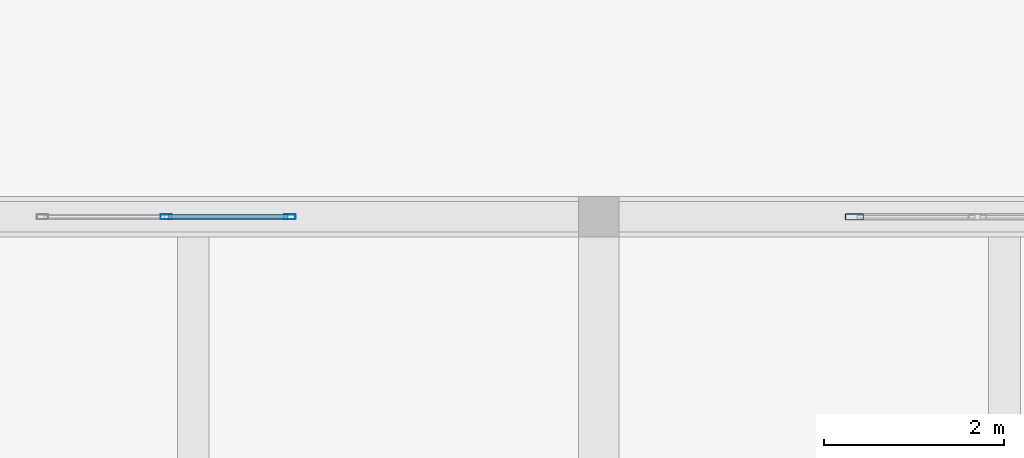
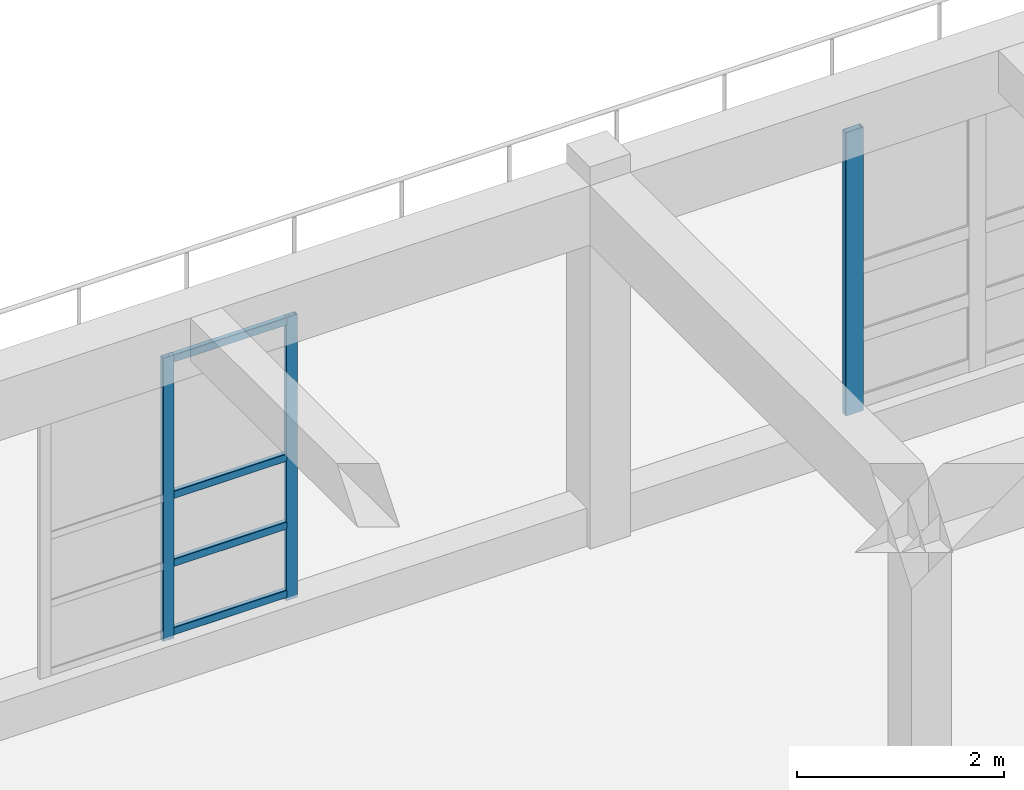
# One storey, part 9 of 15: 7 members, 2 elements without a shape of their own.
"""IFC4 building model written with IfcOpenShell, lengths in metres."""

from ifc_helpers import new_model, si_unit, derived_unit, direction, frame, origin, origin_2d, place, context, subcontext, project, spatial, hollow_rectangle, extrude, material, layer, layer_set, material_profile, profile_set, type_object, element, aggregate, save


model = new_model("IFC4")

# Units and contexts
model_context = context("Model", 3, precision=1e-05, world=origin(), true_north=direction((0.0, 1.0)))
body_context = subcontext(model_context, "Body", "Model", "MODEL_VIEW")
ifc_project = project(units=[si_unit("LENGTHUNIT", "METRE"), si_unit("AREAUNIT", "SQUARE_METRE"), si_unit("VOLUMEUNIT", "CUBIC_METRE"), si_unit("PLANEANGLEUNIT", "RADIAN"), si_unit("MASSUNIT", "GRAM", prefix="KILO"), derived_unit("THERMALTRANSMITTANCEUNIT", [(si_unit("POWERUNIT", "WATT"), 1), (si_unit("LENGTHUNIT", "METRE"), -2), (si_unit("THERMODYNAMICTEMPERATUREUNIT", "KELVIN"), -1)])], contexts=[model_context])

# Site, building, storey
site_placement = place(None, origin())
site = spatial("IfcSite", under=ifc_project, at=site_placement, CompositionType="ELEMENT")
building_placement = place(site_placement, origin())
building = spatial("IfcBuilding", under=site, at=building_placement, Name="Almenara Railside Exhibition Hall", CompositionType="ELEMENT")
storey_placement = place(building_placement, frame((0.0, 0.0, 16.199951171875)))
storey = spatial("IfcBuildingStorey", under=building, at=storey_placement, Name="L03", CompositionType="ELEMENT", Elevation=16.199951171875)

# Curtain wall, members
ifc_material_1 = material(Name="Bronze-anodised aluminium and low-E double glazing", Category="aluminium")
ifc_layer = layer(ifc_material_1, 0.179931640625, Name="Bronze-anodised aluminium and low-E double glazing")
ifc_layer_set = layer_set([ifc_layer], Name="Bronze-anodised aluminium and low-E double glazing")
curtain_wall_type = type_object("IfcCurtainWallType", Name="Belvedere North Loggia Curtain Wall 2800x3300", PredefinedType="NOTDEFINED", material=ifc_layer_set)
curtain_wall_1_placement = place(storey_placement, origin())
curtain_wall_1 = element("IfcCurtainWall", 1, at=curtain_wall_1_placement, inside=storey, type_object=curtain_wall_type, Name="Curtain wall CW-BV1-166", PredefinedType="NOTDEFINED")
ifc_material_2 = material(Name="Bronze-anodised aluminium", Category="aluminium")
ifc_material_profile_1 = material_profile(ifc_material_2, hollow_rectangle(XDim=0.054931640625, YDim=0.125, WallThickness=0.0029296875, InnerFilletRadius=0.0029296875, OuterFilletRadius=0.006103515625, at=origin_2d()), Name="ALU-MUL 55x125x3")
ifc_profile_set_1 = profile_set([ifc_material_profile_1], Name="Bronze-anodised aluminium")
member_type_1 = type_object("IfcMemberType", Name="Curtain Wall Mullion 55x125x3", PredefinedType="MULLION", material=ifc_profile_set_1)
member_1_placement = place(storey_placement, frame((190.199951171875, 28.0, 0.4150390625), z_axis=(0.0, 0.0, 1.0), x_axis=(0.0, 1.0, 0.0)))
member_1 = element("IfcMember", 2, at=member_1_placement, type_object=member_type_1, Name="CW-BV1-166 mullion 2", PredefinedType="MULLION", context=body_context, shape_type="SweptSolid", body=[
    extrude(hollow_rectangle(XDim=0.054931640625, YDim=0.125, WallThickness=0.0029296875, InnerFilletRadius=0.0029296875, OuterFilletRadius=0.006103515625, at=origin_2d()), origin(), (0.0, 0.0, 1.0), 3.3349609375),
])
member_2_placement = place(storey_placement, frame((191.572509765625, 28.0, 0.4150390625), z_axis=(0.0, 0.0, 1.0), x_axis=(0.0, 1.0, 0.0)))
member_2 = element("IfcMember", 3, at=member_2_placement, type_object=member_type_1, Name="CW-BV1-166 mullion 3", PredefinedType="MULLION", context=body_context, shape_type="SweptSolid", body=[
    extrude(hollow_rectangle(XDim=0.054931640625, YDim=0.125, WallThickness=0.0029296875, InnerFilletRadius=0.0029296875, OuterFilletRadius=0.006103515625, at=origin_2d()), origin(), (0.0, 0.0, 1.0), 3.3349609375),
])

# Curtain wall, member
curtain_wall_2_placement = place(storey_placement, origin())
curtain_wall_2 = element("IfcCurtainWall", 4, at=curtain_wall_2_placement, inside=storey, type_object=curtain_wall_type, Name="Curtain wall CW-BV1-167", PredefinedType="NOTDEFINED")
ifc_material_profile_2 = material_profile(ifc_material_2, hollow_rectangle(XDim=0.070068359375, YDim=0.199951171875, WallThickness=0.00439453125, InnerFilletRadius=0.00439453125, OuterFilletRadius=0.009033203125, at=origin_2d()), Name="ALU-MUL 70x200x4.5")
ifc_profile_set_2 = profile_set([ifc_material_profile_2], Name="Bronze-anodised aluminium")
member_type_2 = type_object("IfcMemberType", Name="Curtain Wall Mullion 70x200x4.5", PredefinedType="MULLION", material=ifc_profile_set_2)
member_3_placement = place(storey_placement, frame((197.8349609375, 28.0, 0.4150390625), z_axis=(0.0, 0.0, 1.0), x_axis=(0.0, 1.0, 0.0)))
member_3 = element("IfcMember", 5, at=member_3_placement, type_object=member_type_2, Name="CW-BV1-167 mullion 1", PredefinedType="MULLION", context=body_context, shape_type="SweptSolid", body=[
    extrude(hollow_rectangle(XDim=0.070068359375, YDim=0.199951171875, WallThickness=0.00439453125, InnerFilletRadius=0.00439453125, OuterFilletRadius=0.009033203125, at=origin_2d()), origin(), (0.0, 0.0, 1.0), 3.3349609375),
])
aggregate(curtain_wall_2, [member_3])

# Member
ifc_material_profile_3 = material_profile(ifc_material_2, hollow_rectangle(XDim=0.054931640625, YDim=0.090087890625, WallThickness=0.0029296875, InnerFilletRadius=0.0029296875, OuterFilletRadius=0.006103515625, at=origin_2d()), Name="ALU-TRN 55x90x3")
ifc_profile_set_3 = profile_set([ifc_material_profile_3], Name="Bronze-anodised aluminium")
member_type_3 = type_object("IfcMemberType", Name="Curtain Wall Transom 55x90x3", PredefinedType="USERDEFINED", material=ifc_profile_set_3)
member_4_placement = place(storey_placement, frame((190.219482421875, 28.0, 0.4951171875), z_axis=(1.0, 0.0, 0.0), x_axis=(0.0, 1.0, 0.0)))
member_4 = element("IfcMember", 6, at=member_4_placement, type_object=member_type_3, Name="CW-BV1-166 transom 2.1", ObjectType="TRANSOM", PredefinedType="USERDEFINED", context=body_context, shape_type="SweptSolid", body=[
    extrude(hollow_rectangle(XDim=0.054931640625, YDim=0.090087890625, WallThickness=0.0029296875, InnerFilletRadius=0.0029296875, OuterFilletRadius=0.006103515625, at=origin_2d()), origin(), (0.0, 0.0, 1.0), 1.33349609375),
])

member_5_placement = place(storey_placement, frame((190.219482421875, 28.0, 1.300048828125), z_axis=(1.0, 0.0, 0.0), x_axis=(0.0, 1.0, 0.0)))
member_5 = element("IfcMember", 7, at=member_5_placement, type_object=member_type_3, Name="CW-BV1-166 transom 2.2", ObjectType="TRANSOM", PredefinedType="USERDEFINED", context=body_context, shape_type="SweptSolid", body=[
    extrude(hollow_rectangle(XDim=0.054931640625, YDim=0.090087890625, WallThickness=0.0029296875, InnerFilletRadius=0.0029296875, OuterFilletRadius=0.006103515625, at=origin_2d()), origin(), (0.0, 0.0, 1.0), 1.33349609375),
])

member_6_placement = place(storey_placement, frame((190.219482421875, 28.0, 2.10009765625), z_axis=(1.0, 0.0, 0.0), x_axis=(0.0, 1.0, 0.0)))
member_6 = element("IfcMember", 8, at=member_6_placement, type_object=member_type_3, Name="CW-BV1-166 transom 2.3", ObjectType="TRANSOM", PredefinedType="USERDEFINED", context=body_context, shape_type="SweptSolid", body=[
    extrude(hollow_rectangle(XDim=0.054931640625, YDim=0.090087890625, WallThickness=0.0029296875, InnerFilletRadius=0.0029296875, OuterFilletRadius=0.006103515625, at=origin_2d()), origin(), (0.0, 0.0, 1.0), 1.33349609375),
])

member_7_placement = place(storey_placement, frame((190.219482421875, 28.0, 3.705078125), z_axis=(1.0, 0.0, 0.0), x_axis=(0.0, 1.0, 0.0)))
member_7 = element("IfcMember", 9, at=member_7_placement, type_object=member_type_3, Name="CW-BV1-166 transom 2.4", ObjectType="TRANSOM", PredefinedType="USERDEFINED", context=body_context, shape_type="SweptSolid", body=[
    extrude(hollow_rectangle(XDim=0.054931640625, YDim=0.090087890625, WallThickness=0.0029296875, InnerFilletRadius=0.0029296875, OuterFilletRadius=0.006103515625, at=origin_2d()), origin(), (0.0, 0.0, 1.0), 1.33349609375),
])

aggregate(curtain_wall_1, [member_1, member_2, member_4, member_5, member_6, member_7])

save(model, "model.ifc")
